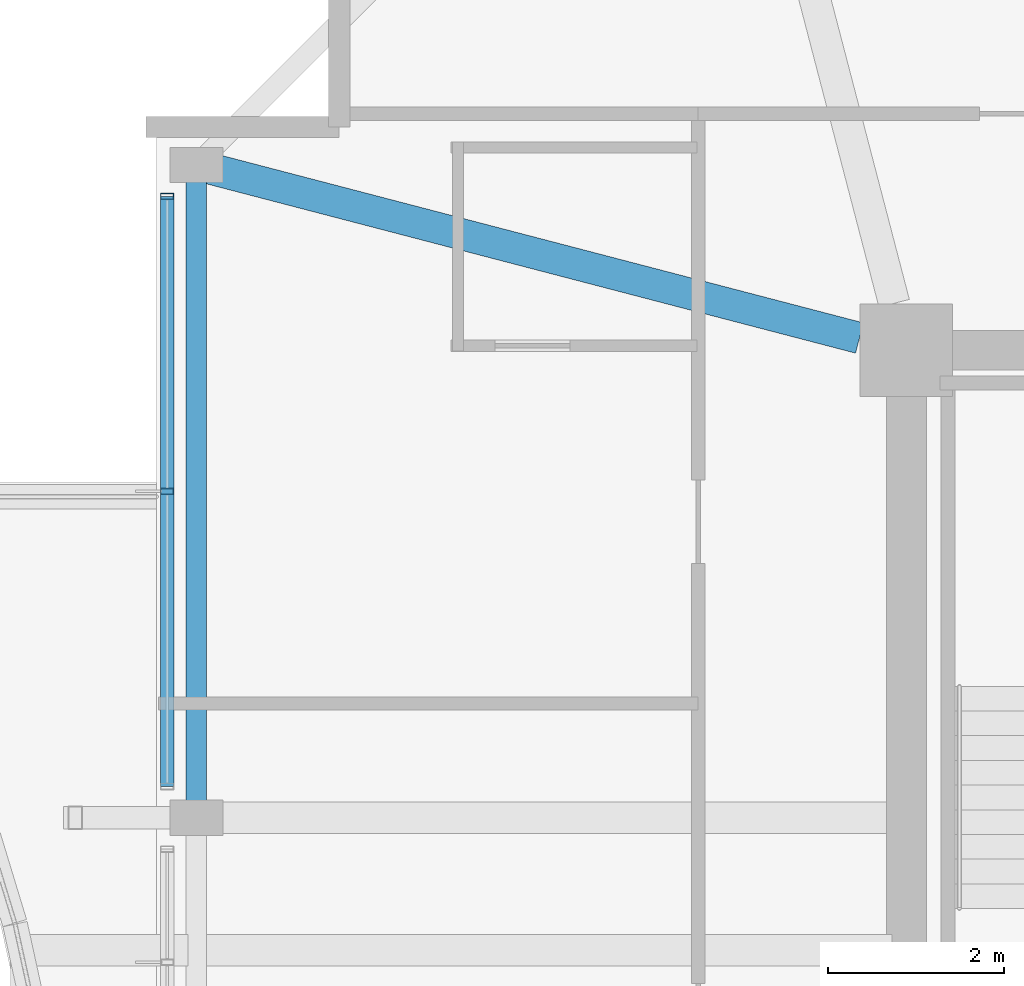
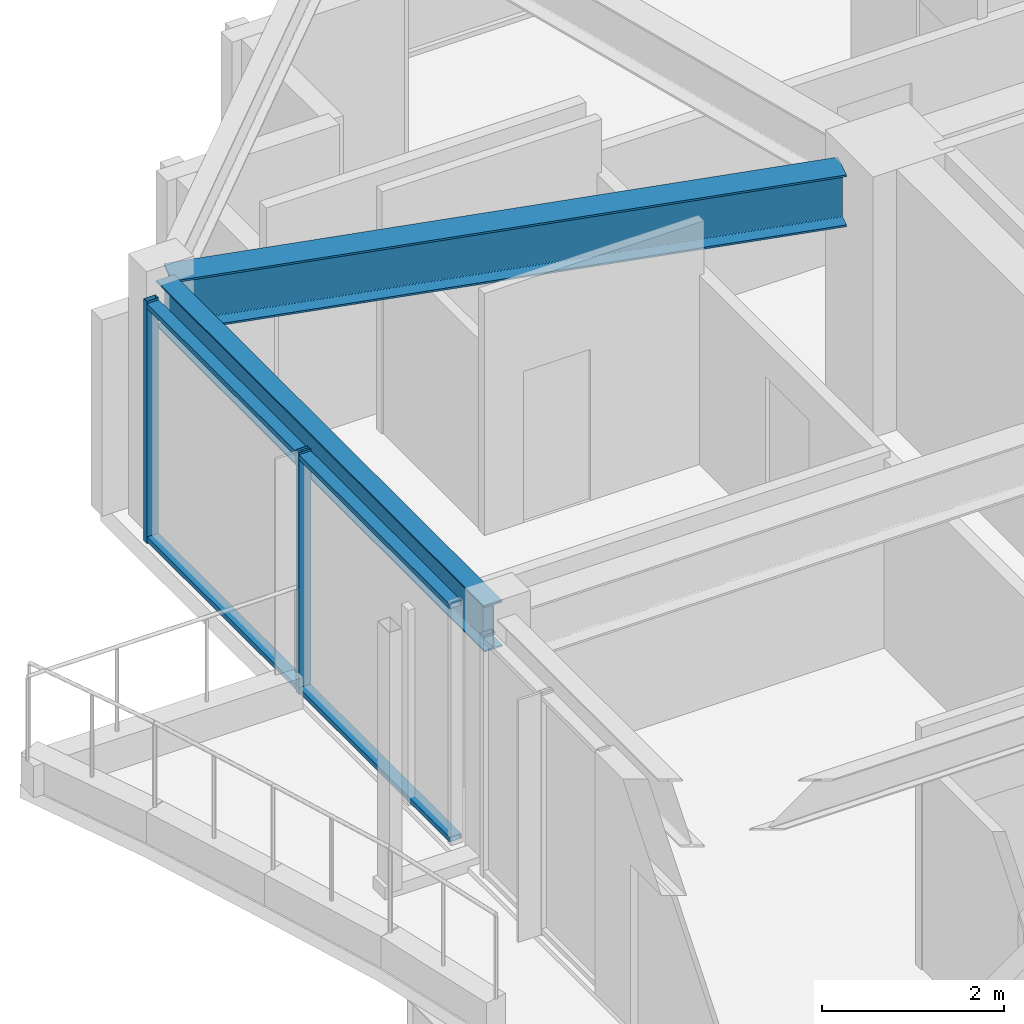
# One storey, part 9 of 31: 4 members, 2 beams, 1 element without a shape of its own.
"""IFC4 building model written with IfcOpenShell, lengths in metres."""

from ifc_helpers import new_model, si_unit, direction, frame, origin, origin_2d, place, context, subcontext, project, spatial, hollow_rectangle, i_section, extrude, material, material_profile, profile_set, type_object, element, aggregate, save


model = new_model("IFC4")

# Units and contexts
model_context = context("Model", 3, precision=1e-05, world=origin(), true_north=direction((0.0, 1.0)))
body_context = subcontext(model_context, "Body", "Model", "MODEL_VIEW")
ifc_project = project(units=[si_unit("LENGTHUNIT", "METRE"), si_unit("AREAUNIT", "SQUARE_METRE"), si_unit("VOLUMEUNIT", "CUBIC_METRE"), si_unit("PLANEANGLEUNIT", "RADIAN"), si_unit("MASSUNIT", "GRAM", prefix="KILO")], contexts=[model_context])

# Site, building, storey
site_placement = place(None, origin())
site = spatial("IfcSite", under=ifc_project, at=site_placement, CompositionType="ELEMENT")
building_placement = place(site_placement, origin())
building = spatial("IfcBuilding", under=site, at=building_placement, Name="Kolvaren Belvedere", CompositionType="ELEMENT")
storey_placement = place(building_placement, frame((0.0, 0.0, 251.39990234375)))
storey = spatial("IfcBuildingStorey", under=building, at=storey_placement, Name="L73", CompositionType="ELEMENT", Elevation=251.39990234375)

# Beams
ifc_material_1 = material(Name="Structural steel ASTM A992 Grade 50", Category="steel")
ifc_material_profile_1 = material_profile(ifc_material_1, i_section(OverallWidth=0.35498046875, OverallDepth=0.696044921875, WebThickness=0.015380859375, FlangeThickness=0.02490234375, FilletRadius=0.02197265625, at=origin_2d()), Name="W27X146")
ifc_profile_set_1 = profile_set([ifc_material_profile_1], Name="Structural steel ASTM A992 Grade 50")
beam_type_1 = type_object("IfcBeamType", Name="BM-GIRD-W27X146", PredefinedType="BEAM", material=ifc_profile_set_1)
beam_1_placement = place(storey_placement, frame((-10.43212890625, 10.038818359375, 2.902099609375), z_axis=(-0.967619295388, 0.252414142221, 0.0), x_axis=(-0.252414142221, -0.967619295388, 0.0)))
element("IfcBeam", 1, at=beam_1_placement, inside=storey, type_object=beam_type_1, Name="L73 Corner Core-to-Perimeter Girder CC4-W4", PredefinedType="BEAM", context=body_context, shape_type="SweptSolid", body=[
    extrude(i_section(OverallWidth=0.35498046875, OverallDepth=0.696044921875, WebThickness=0.015380859375, FlangeThickness=0.02490234375, FilletRadius=0.02197265625, at=origin_2d()), origin(), (0.0, 0.0, 1.0), 7.689453125),
])
ifc_material_2 = material(Name="Structural steel ASTM A992 Grade 50", Category="steel")
ifc_material_profile_2 = material_profile(ifc_material_2, i_section(OverallWidth=0.22900390625, OverallDepth=0.612060546875, WebThickness=0.011962890625, FlangeThickness=0.01953125, FilletRadius=0.01806640625, at=origin_2d()), Name="W24X84")
ifc_profile_set_2 = profile_set([ifc_material_profile_2], Name="Structural steel ASTM A992 Grade 50")
beam_type_2 = type_object("IfcBeamType", Name="BM-SPAN-W24X84", PredefinedType="SPANDREL", material=ifc_profile_set_2)
beam_2_placement = place(storey_placement, frame((-17.949951171875, 11.909912109375, 2.944091796875), z_axis=(0.0, -1.0, 0.0), x_axis=(1.0, 0.0, 0.0)))
element("IfcBeam", 2, at=beam_2_placement, inside=storey, type_object=beam_type_2, Name="L73 Perimeter Spandrel W4-W3", PredefinedType="SPANDREL", context=body_context, shape_type="SweptSolid", body=[
    extrude(i_section(OverallWidth=0.22900390625, OverallDepth=0.612060546875, WebThickness=0.011962890625, FlangeThickness=0.01953125, FilletRadius=0.01806640625, at=origin_2d()), origin(), (0.0, 0.0, 1.0), 7.219970703125),
])

# Curtain wall, members
ifc_material_3 = material(Name="Anodised pale-metal aluminium AA 6063-T6", Category="aluminium")
curtain_wall_type = type_object("IfcCurtainWallType", Name="CW-Z5-HIGH", PredefinedType="NOTDEFINED", material=ifc_material_3)
curtain_wall_placement = place(storey_placement, origin())
curtain_wall = element("IfcCurtainWall", 3, at=curtain_wall_placement, inside=storey, type_object=curtain_wall_type, Name="L73 Unitised Curtain Wall FCW-L73-W2-B2", PredefinedType="NOTDEFINED")
ifc_material_4 = material(Name="Anodised pale-metal aluminium AA 6063-T6", Category="aluminium")
ifc_material_profile_3 = material_profile(ifc_material_4, hollow_rectangle(XDim=0.070068359375, YDim=0.14990234375, WallThickness=0.004150390625, at=origin_2d()), Name="ALU-MUL-150X70")
ifc_profile_set_3 = profile_set([ifc_material_profile_3], Name="Anodised pale-metal aluminium AA 6063-T6")
member_type_1 = type_object("IfcMemberType", Name="CW-MUL-150", PredefinedType="MULLION", material=ifc_profile_set_3)
member_1_placement = place(storey_placement, frame((-18.280029296875, 8.300048828125, 0.0), z_axis=(0.0, 0.0, 1.0), x_axis=(0.0, 1.0, 0.0)))
member_1 = element("IfcMember", 4, at=member_1_placement, type_object=member_type_1, Name="FCW-L73-W2-B2 Unitised Mullion 2", PredefinedType="MULLION", context=body_context, shape_type="SweptSolid", body=[
    extrude(hollow_rectangle(XDim=0.070068359375, YDim=0.14990234375, WallThickness=0.004150390625, at=origin_2d()), origin(), (0.0, 0.0, 1.0), 3.25),
])
member_2_placement = place(storey_placement, frame((-18.280029296875, 11.64501953125, 0.0), z_axis=(0.0, 0.0, 1.0), x_axis=(0.0, 1.0, 0.0)))
member_2 = element("IfcMember", 5, at=member_2_placement, type_object=member_type_1, Name="FCW-L73-W2-B2 Unitised Mullion 3", PredefinedType="MULLION", context=body_context, shape_type="SweptSolid", body=[
    extrude(hollow_rectangle(XDim=0.070068359375, YDim=0.14990234375, WallThickness=0.004150390625, at=origin_2d()), origin(), (0.0, 0.0, 1.0), 3.25),
])
ifc_material_5 = material(Name="Anodised pale-metal aluminium AA 6063-T6", Category="aluminium")
ifc_material_profile_4 = material_profile(ifc_material_5, hollow_rectangle(XDim=0.06494140625, YDim=0.14990234375, WallThickness=0.00390625, at=origin_2d()), Name="ALU-TRN-150X65")
ifc_profile_set_4 = profile_set([ifc_material_profile_4], Name="Anodised pale-metal aluminium AA 6063-T6")
member_type_2 = type_object("IfcMemberType", Name="CW-TRN-150", PredefinedType="USERDEFINED", material=ifc_profile_set_4)
member_3_placement = place(storey_placement, frame((-18.280029296875, 4.955078125, 0.06005859375), z_axis=(0.0, 1.0, 0.0), x_axis=(0.0, 0.0, 1.0)))
member_3 = element("IfcMember", 6, at=member_3_placement, type_object=member_type_2, Name="FCW-L73-W2-B2 Sill Transom", ObjectType="TRANSOM", PredefinedType="USERDEFINED", context=body_context, shape_type="SweptSolid", body=[
    extrude(hollow_rectangle(XDim=0.06494140625, YDim=0.14990234375, WallThickness=0.00390625, at=origin_2d()), origin(), (0.0, 0.0, 1.0), 6.68994140625),
])
member_4_placement = place(storey_placement, frame((-18.280029296875, 4.955078125, 3.190185546875), z_axis=(0.0, 1.0, 0.0), x_axis=(0.0, 0.0, 1.0)))
member_4 = element("IfcMember", 7, at=member_4_placement, type_object=member_type_2, Name="FCW-L73-W2-B2 Head Transom", ObjectType="TRANSOM", PredefinedType="USERDEFINED", context=body_context, shape_type="SweptSolid", body=[
    extrude(hollow_rectangle(XDim=0.06494140625, YDim=0.14990234375, WallThickness=0.00390625, at=origin_2d()), origin(), (0.0, 0.0, 1.0), 6.68994140625),
])
aggregate(curtain_wall, [member_1, member_2, member_3, member_4])

save(model, "model.ifc")
